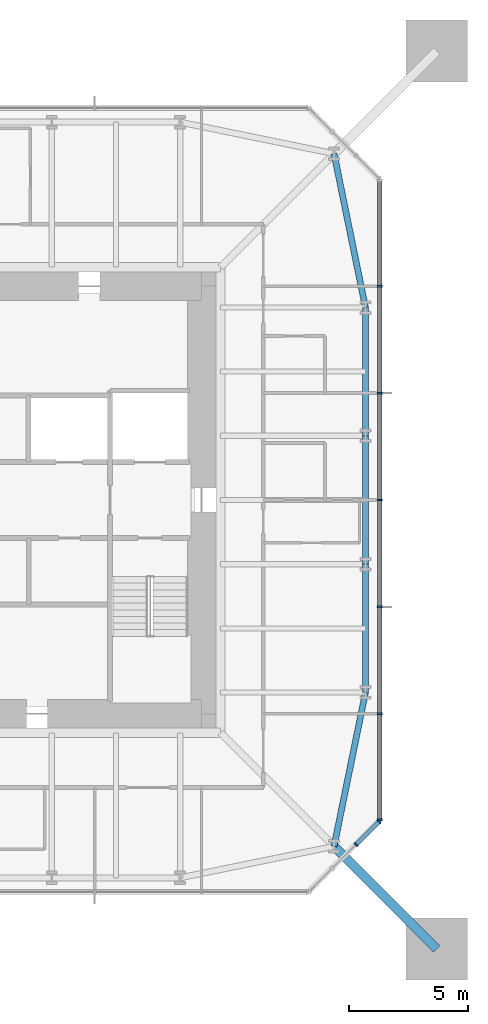
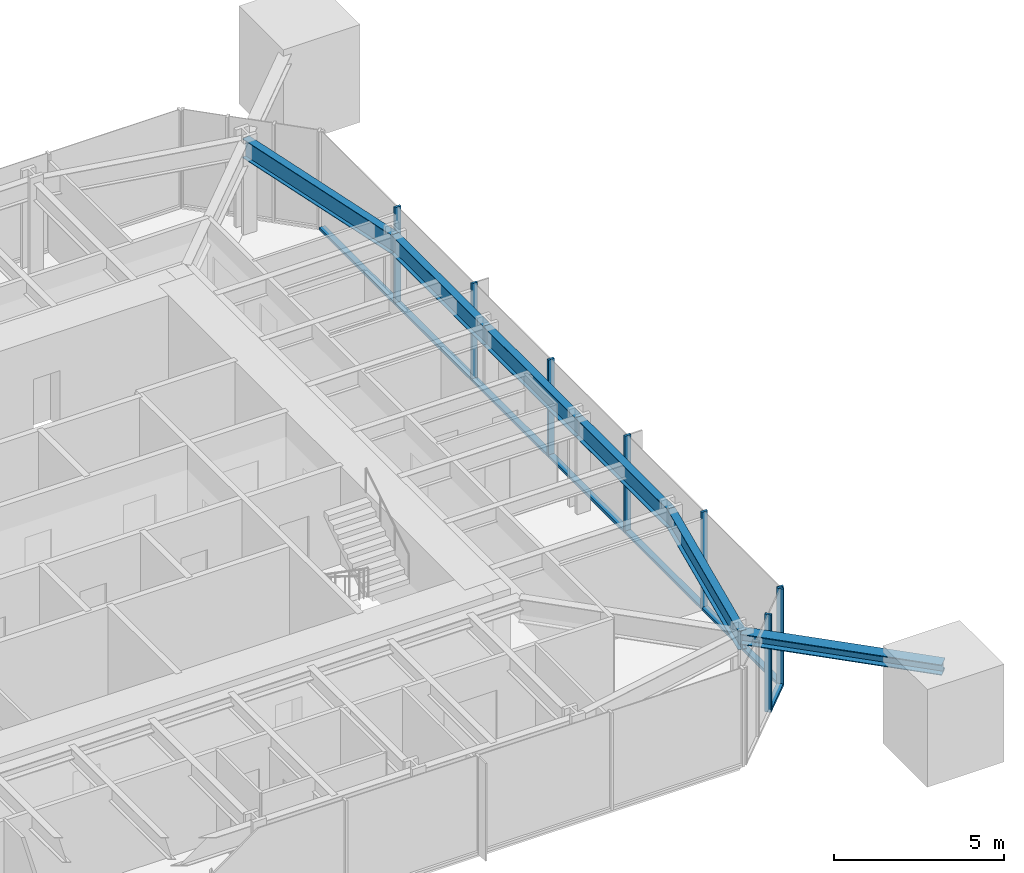
# One storey, part 3 of 9: 16 members, 5 beams, 2 elements without a shape of their own.
"""IFC4 building model written with IfcOpenShell, lengths in metres."""

from ifc_helpers import new_model, si_unit, direction, frame, origin, origin_2d, place, context, subcontext, project, spatial, rectangle, i_section, extrude, material, material_profile, profile_set, type_object, element, aggregate, save


model = new_model("IFC4")

# Units and contexts
model_context = context("Model", 3, precision=1e-05, world=origin(), true_north=direction((0.0, 1.0)))
body_context = subcontext(model_context, "Body", "Model", "MODEL_VIEW")
ifc_project = project(units=[si_unit("LENGTHUNIT", "METRE"), si_unit("AREAUNIT", "SQUARE_METRE"), si_unit("VOLUMEUNIT", "CUBIC_METRE"), si_unit("PLANEANGLEUNIT", "RADIAN"), si_unit("MASSUNIT", "GRAM", prefix="KILO")], contexts=[model_context])

# Site, building, storey
site_placement = place(None, origin())
site = spatial("IfcSite", under=ifc_project, at=site_placement, CompositionType="ELEMENT")
building_placement = place(site_placement, origin())
building = spatial("IfcBuilding", under=site, at=building_placement, Name="Iwan Alto Co-Living Towers", CompositionType="ELEMENT")
storey_placement = place(building_placement, frame((0.0, 0.0, 232.5)))
storey = spatial("IfcBuildingStorey", under=building, at=storey_placement, Name="L63", CompositionType="ELEMENT", Elevation=232.5)

# Curtain wall, members
ifc_material_1 = material(Name="Bronze aluminium unitised frame", Category="aluminium")
curtain_wall_type_1 = type_object("IfcCurtainWallType", Name="CURTAIN WALL CW-A", PredefinedType="NOTDEFINED", material=ifc_material_1)
curtain_wall_1_placement = place(storey_placement, origin())
curtain_wall_1 = element("IfcCurtainWall", 1, at=curtain_wall_1_placement, inside=storey, type_object=curtain_wall_type_1, Name="T1 curtain wall E L63", PredefinedType="NOTDEFINED")
ifc_material_2 = material(Name="Aluminium 6063-T6 bronze anodised", Category="aluminium")
ifc_material_profile_1 = material_profile(ifc_material_2, rectangle(XDim=0.199951171875, YDim=0.080078125, at=origin_2d()), Name="AL 80X200")
ifc_profile_set_1 = profile_set([ifc_material_profile_1], Name="Aluminium 6063-T6 bronze anodised")
member_type_1 = type_object("IfcMemberType", Name="CW-A MULLION 80X200", PredefinedType="MULLION", material=ifc_profile_set_1)
member_1_placement = place(storey_placement, frame((16.5, -13.4599609375, 0.0), z_axis=(0.0, 0.0, 1.0), x_axis=(-1.0, 0.0, 0.0)))
member_1 = element("IfcMember", 2, at=member_1_placement, type_object=member_type_1, Name="CW-A mullion 1", PredefinedType="MULLION", context=body_context, shape_type="SweptSolid", body=[
    extrude(rectangle(XDim=0.199951171875, YDim=0.080078125, at=origin_2d()), origin(), (0.0, 0.0, 1.0), 3.5),
])
member_2_placement = place(storey_placement, frame((16.5, -9.0, 0.0), z_axis=(0.0, 0.0, 1.0), x_axis=(-1.0, 0.0, 0.0)))
member_2 = element("IfcMember", 3, at=member_2_placement, type_object=member_type_1, Name="CW-A mullion 2", PredefinedType="MULLION", context=body_context, shape_type="SweptSolid", body=[
    extrude(rectangle(XDim=0.199951171875, YDim=0.080078125, at=origin_2d()), origin(), (0.0, 0.0, 1.0), 3.5),
])
member_3_placement = place(storey_placement, frame((16.5, -4.5, 0.0), z_axis=(0.0, 0.0, 1.0), x_axis=(-1.0, 0.0, 0.0)))
member_3 = element("IfcMember", 4, at=member_3_placement, type_object=member_type_1, Name="CW-A mullion 3", PredefinedType="MULLION", context=body_context, shape_type="SweptSolid", body=[
    extrude(rectangle(XDim=0.199951171875, YDim=0.080078125, at=origin_2d()), origin(), (0.0, 0.0, 1.0), 3.5),
])
member_4_placement = place(storey_placement, frame((16.5, 0.0, 0.0), z_axis=(0.0, 0.0, 1.0), x_axis=(-1.0, 0.0, 0.0)))
member_4 = element("IfcMember", 5, at=member_4_placement, type_object=member_type_1, Name="CW-A mullion 4", PredefinedType="MULLION", context=body_context, shape_type="SweptSolid", body=[
    extrude(rectangle(XDim=0.199951171875, YDim=0.080078125, at=origin_2d()), origin(), (0.0, 0.0, 1.0), 3.5),
])
member_5_placement = place(storey_placement, frame((16.5, 4.5, 0.0), z_axis=(0.0, 0.0, 1.0), x_axis=(-1.0, 0.0, 0.0)))
member_5 = element("IfcMember", 6, at=member_5_placement, type_object=member_type_1, Name="CW-A mullion 5", PredefinedType="MULLION", context=body_context, shape_type="SweptSolid", body=[
    extrude(rectangle(XDim=0.199951171875, YDim=0.080078125, at=origin_2d()), origin(), (0.0, 0.0, 1.0), 3.5),
])
member_6_placement = place(storey_placement, frame((16.5, 9.0, 0.0), z_axis=(0.0, 0.0, 1.0), x_axis=(-1.0, 0.0, 0.0)))
member_6 = element("IfcMember", 7, at=member_6_placement, type_object=member_type_1, Name="CW-A mullion 6", PredefinedType="MULLION", context=body_context, shape_type="SweptSolid", body=[
    extrude(rectangle(XDim=0.199951171875, YDim=0.080078125, at=origin_2d()), origin(), (0.0, 0.0, 1.0), 3.5),
])
ifc_material_3 = material(Name="Aluminium 6063-T6 bronze anodised", Category="aluminium")
ifc_material_profile_2 = material_profile(ifc_material_3, rectangle(XDim=0.199951171875, YDim=0.10009765625, at=origin_2d()), Name="AL 200X100")
ifc_profile_set_2 = profile_set([ifc_material_profile_2], Name="Aluminium 6063-T6 bronze anodised")
member_type_2 = type_object("IfcMemberType", Name="CW-A TRANSOM 200X100", PredefinedType="USERDEFINED", material=ifc_profile_set_2)
member_7_placement = place(storey_placement, frame((16.5, -13.419921875, 0.050048828125), z_axis=(0.0, 1.0, 0.0), x_axis=(-1.0, 0.0, 0.0)))
member_7 = element("IfcMember", 8, at=member_7_placement, type_object=member_type_2, Name="CW-A transom 1.1", ObjectType="TRANSOM", PredefinedType="USERDEFINED", context=body_context, shape_type="SweptSolid", body=[
    extrude(rectangle(XDim=0.199951171875, YDim=0.10009765625, at=origin_2d()), origin(), (0.0, 0.0, 1.0), 4.3798828125),
])
member_8_placement = place(storey_placement, frame((16.5, -8.9599609375, 0.050048828125), z_axis=(0.0, 1.0, 0.0), x_axis=(-1.0, 0.0, 0.0)))
member_8 = element("IfcMember", 9, at=member_8_placement, type_object=member_type_2, Name="CW-A transom 2.1", ObjectType="TRANSOM", PredefinedType="USERDEFINED", context=body_context, shape_type="SweptSolid", body=[
    extrude(rectangle(XDim=0.199951171875, YDim=0.10009765625, at=origin_2d()), origin(), (0.0, 0.0, 1.0), 4.419921875),
])
member_9_placement = place(storey_placement, frame((16.5, -4.4599609375, 0.050048828125), z_axis=(0.0, 1.0, 0.0), x_axis=(-1.0, 0.0, 0.0)))
member_9 = element("IfcMember", 10, at=member_9_placement, type_object=member_type_2, Name="CW-A transom 3.1", ObjectType="TRANSOM", PredefinedType="USERDEFINED", context=body_context, shape_type="SweptSolid", body=[
    extrude(rectangle(XDim=0.199951171875, YDim=0.10009765625, at=origin_2d()), origin(), (0.0, 0.0, 1.0), 4.419921875),
])
member_10_placement = place(storey_placement, frame((16.5, 0.0400390625, 0.050048828125), z_axis=(0.0, 1.0, 0.0), x_axis=(-1.0, 0.0, 0.0)))
member_10 = element("IfcMember", 11, at=member_10_placement, type_object=member_type_2, Name="CW-A transom 4.1", ObjectType="TRANSOM", PredefinedType="USERDEFINED", context=body_context, shape_type="SweptSolid", body=[
    extrude(rectangle(XDim=0.199951171875, YDim=0.10009765625, at=origin_2d()), origin(), (0.0, 0.0, 1.0), 4.419921875),
])
member_11_placement = place(storey_placement, frame((16.5, 4.5400390625, 0.050048828125), z_axis=(0.0, 1.0, 0.0), x_axis=(-1.0, 0.0, 0.0)))
member_11 = element("IfcMember", 12, at=member_11_placement, type_object=member_type_2, Name="CW-A transom 5.1", ObjectType="TRANSOM", PredefinedType="USERDEFINED", context=body_context, shape_type="SweptSolid", body=[
    extrude(rectangle(XDim=0.199951171875, YDim=0.10009765625, at=origin_2d()), origin(), (0.0, 0.0, 1.0), 4.419921875),
])
member_12_placement = place(storey_placement, frame((16.5, 9.0400390625, 0.050048828125), z_axis=(0.0, 1.0, 0.0), x_axis=(-1.0, 0.0, 0.0)))
member_12 = element("IfcMember", 13, at=member_12_placement, type_object=member_type_2, Name="CW-A transom 6.1", ObjectType="TRANSOM", PredefinedType="USERDEFINED", context=body_context, shape_type="SweptSolid", body=[
    extrude(rectangle(XDim=0.199951171875, YDim=0.10009765625, at=origin_2d()), origin(), (0.0, 0.0, 1.0), 4.3798828125),
])
aggregate(curtain_wall_1, [member_1, member_2, member_3, member_4, member_5, member_6, member_7, member_8, member_9, member_10, member_11, member_12])

ifc_material_4 = material(Name="Bronze aluminium unitised frame", Category="aluminium")
curtain_wall_type_2 = type_object("IfcCurtainWallType", Name="CURTAIN WALL CW-B", PredefinedType="NOTDEFINED", material=ifc_material_4)
curtain_wall_2_placement = place(storey_placement, origin())
curtain_wall_2 = element("IfcCurtainWall", 14, at=curtain_wall_2_placement, inside=storey, type_object=curtain_wall_type_2, Name="T1 chamfer curtain wall SE L63", PredefinedType="NOTDEFINED")
ifc_material_5 = material(Name="Aluminium 6063-T6 bronze anodised", Category="aluminium")
ifc_material_profile_3 = material_profile(ifc_material_5, rectangle(XDim=0.199951171875, YDim=0.080078125, at=origin_2d()), Name="AL 80X200")
ifc_profile_set_3 = profile_set([ifc_material_profile_3], Name="Aluminium 6063-T6 bronze anodised")
member_type_3 = type_object("IfcMemberType", Name="CW-B MULLION 80X200", PredefinedType="MULLION", material=ifc_profile_set_3)
member_13_placement = place(storey_placement, frame((15.5, -14.5, 0.0), z_axis=(0.0, 0.0, 1.0), x_axis=(-0.707106781187, 0.707106781187, 0.0)))
member_13 = element("IfcMember", 15, at=member_13_placement, type_object=member_type_3, Name="CW-B mullion 3", PredefinedType="MULLION", context=body_context, shape_type="SweptSolid", body=[
    extrude(rectangle(XDim=0.199951171875, YDim=0.080078125, at=origin_2d()), origin(), (0.0, 0.0, 1.0), 3.5),
])
member_14_placement = place(storey_placement, frame((16.4716796875, -13.5283203125, 0.0), z_axis=(0.0, 0.0, 1.0), x_axis=(-0.707106781187, 0.707106781187, 0.0)))
member_14 = element("IfcMember", 16, at=member_14_placement, type_object=member_type_3, Name="CW-B mullion 4", PredefinedType="MULLION", context=body_context, shape_type="SweptSolid", body=[
    extrude(rectangle(XDim=0.199951171875, YDim=0.080078125, at=origin_2d()), origin(), (0.0, 0.0, 1.0), 3.5),
])
ifc_material_6 = material(Name="Aluminium 6063-T6 bronze anodised", Category="aluminium")
ifc_material_profile_4 = material_profile(ifc_material_6, rectangle(XDim=0.199951171875, YDim=0.10009765625, at=origin_2d()), Name="AL 200X100")
ifc_profile_set_4 = profile_set([ifc_material_profile_4], Name="Aluminium 6063-T6 bronze anodised")
member_type_4 = type_object("IfcMemberType", Name="CW-B TRANSOM 200X100", PredefinedType="USERDEFINED", material=ifc_profile_set_4)
member_15_placement = place(storey_placement, frame((15.5283203125, -14.4716796875, 0.050048828125), z_axis=(0.707106781187, 0.707106781187, 0.0), x_axis=(-0.707106781187, 0.707106781187, 0.0)))
member_15 = element("IfcMember", 17, at=member_15_placement, type_object=member_type_4, Name="CW-B transom 3.1", ObjectType="TRANSOM", PredefinedType="USERDEFINED", context=body_context, shape_type="SweptSolid", body=[
    extrude(rectangle(XDim=0.199951171875, YDim=0.10009765625, at=origin_2d()), origin(), (0.0, 0.0, 1.0), 1.2939453125),
])
aggregate(curtain_wall_2, [member_13, member_14, member_15])

# Beams
ifc_material_7 = material(Name="Steel ASTM A992 Gr 50", Category="steel")
ifc_material_profile_5 = material_profile(ifc_material_7, i_section(OverallWidth=0.25390625, OverallDepth=0.683349609375, WebThickness=0.012451171875, FlangeThickness=0.018798828125, at=origin_2d()), Name="W27X94")
ifc_profile_set_5 = profile_set([ifc_material_profile_5], Name="Steel ASTM A992 Gr 50")
beam_type = type_object("IfcBeamType", Name="T1 EDGE BEAM W27X94", PredefinedType="BEAM", material=ifc_profile_set_5)
beam_1_placement = place(storey_placement, frame((14.57568359375, -14.57568359375, 2.928466796875), z_axis=(0.200347889618, 0.979724820103, 0.0), x_axis=(-0.979724820103, 0.200347889618, 0.0)))
element("IfcBeam", 18, at=beam_1_placement, inside=storey, type_object=beam_type, Name="T1 edge beam CSE L64", PredefinedType="BEAM", context=body_context, shape_type="SweptSolid", body=[
    extrude(i_section(OverallWidth=0.25390625, OverallDepth=0.683349609375, WebThickness=0.012451171875, FlangeThickness=0.018798828125, at=origin_2d()), origin(), (0.0, 0.0, 1.0), 6.609619140625),
])
beam_2_placement = place(storey_placement, frame((15.89990234375, -8.10009765625, 2.928466796875), z_axis=(0.0, 1.0, 0.0), x_axis=(-1.0, 0.0, 0.0)))
element("IfcBeam", 19, at=beam_2_placement, inside=storey, type_object=beam_type, Name="T1 edge beam E1 L64", PredefinedType="BEAM", context=body_context, shape_type="SweptSolid", body=[
    extrude(i_section(OverallWidth=0.25390625, OverallDepth=0.683349609375, WebThickness=0.012451171875, FlangeThickness=0.018798828125, at=origin_2d()), origin(), (0.0, 0.0, 1.0), 5.400146484375),
])
beam_3_placement = place(storey_placement, frame((15.89990234375, -2.699951171875, 2.928466796875), z_axis=(0.0, 1.0, 0.0), x_axis=(-1.0, 0.0, 0.0)))
element("IfcBeam", 20, at=beam_3_placement, inside=storey, type_object=beam_type, Name="T1 edge beam E2 L64", PredefinedType="BEAM", context=body_context, shape_type="SweptSolid", body=[
    extrude(i_section(OverallWidth=0.25390625, OverallDepth=0.683349609375, WebThickness=0.012451171875, FlangeThickness=0.018798828125, at=origin_2d()), origin(), (0.0, 0.0, 1.0), 5.39990234375),
])
beam_4_placement = place(storey_placement, frame((15.89990234375, 2.699951171875, 2.928466796875), z_axis=(0.0, 1.0, 0.0), x_axis=(-1.0, 0.0, 0.0)))
element("IfcBeam", 21, at=beam_4_placement, inside=storey, type_object=beam_type, Name="T1 edge beam E3 L64", PredefinedType="BEAM", context=body_context, shape_type="SweptSolid", body=[
    extrude(i_section(OverallWidth=0.25390625, OverallDepth=0.683349609375, WebThickness=0.012451171875, FlangeThickness=0.018798828125, at=origin_2d()), origin(), (0.0, 0.0, 1.0), 5.400146484375),
])
beam_5_placement = place(storey_placement, frame((15.89990234375, 8.10009765625, 2.928466796875), z_axis=(-0.200347889618, 0.979724820103, 0.0), x_axis=(-0.979724820103, -0.200347889618, 0.0)))
element("IfcBeam", 22, at=beam_5_placement, inside=storey, type_object=beam_type, Name="T1 edge beam E4 L64", PredefinedType="BEAM", context=body_context, shape_type="SweptSolid", body=[
    extrude(i_section(OverallWidth=0.25390625, OverallDepth=0.683349609375, WebThickness=0.012451171875, FlangeThickness=0.018798828125, at=origin_2d()), origin(), (0.0, 0.0, 1.0), 6.609619140625),
])

# Member
ifc_material_8 = material(Name="Steel ASTM A992 Gr 50", Category="steel")
ifc_material_profile_6 = material_profile(ifc_material_8, i_section(OverallWidth=0.393798828125, OverallDepth=0.3759765625, WebThickness=0.017333984375, FlangeThickness=0.027587890625, at=origin_2d()), Name="W14X145")
ifc_profile_set_6 = profile_set([ifc_material_profile_6], Name="Steel ASTM A992 Gr 50")
member_type_5 = type_object("IfcMemberType", Name="T1 MEGA COLUMN FLOOR TIE W14X145", PredefinedType="STRUT", material=ifc_profile_set_6)
member_16_placement = place(storey_placement, frame((18.89990234375, -18.89990234375, 3.08203125), z_axis=(-0.707106781187, 0.707106781187, 0.0), x_axis=(-0.707106781187, -0.707106781187, 0.0)))
element("IfcMember", 23, at=member_16_placement, inside=storey, type_object=member_type_5, Name="T1 mega column floor tie SE L64", PredefinedType="STRUT", context=body_context, shape_type="SweptSolid", body=[
    extrude(i_section(OverallWidth=0.393798828125, OverallDepth=0.3759765625, WebThickness=0.017333984375, FlangeThickness=0.027587890625, at=origin_2d()), origin(), (0.0, 0.0, 1.0), 6.115478515625),
])

save(model, "model.ifc")
